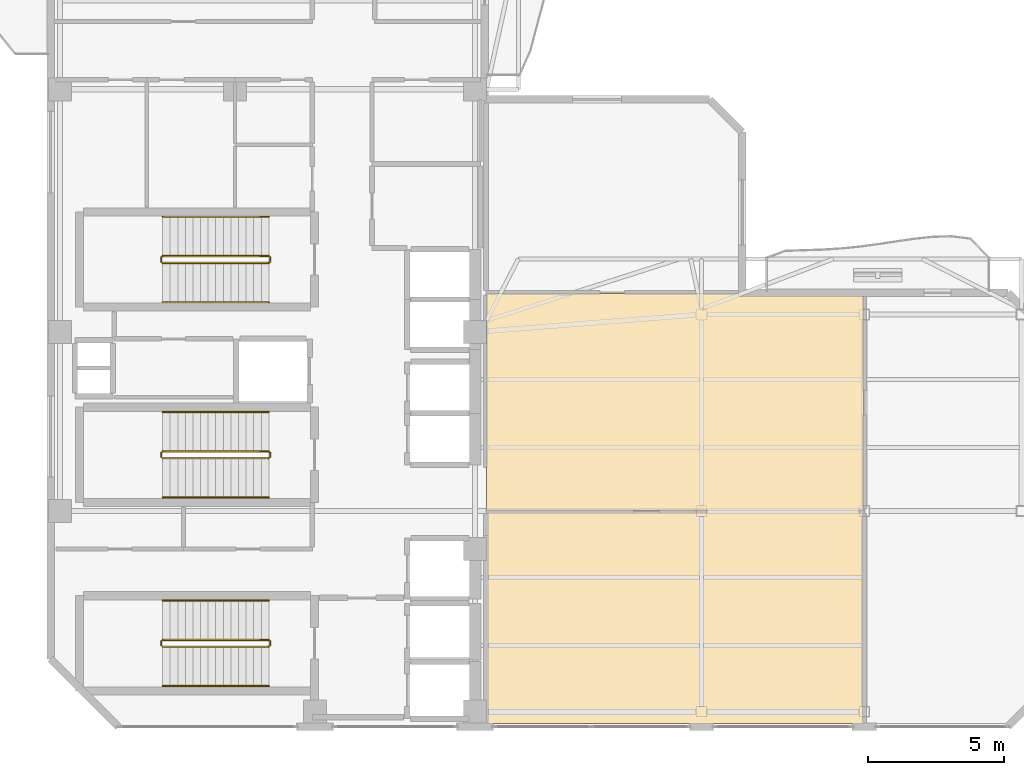
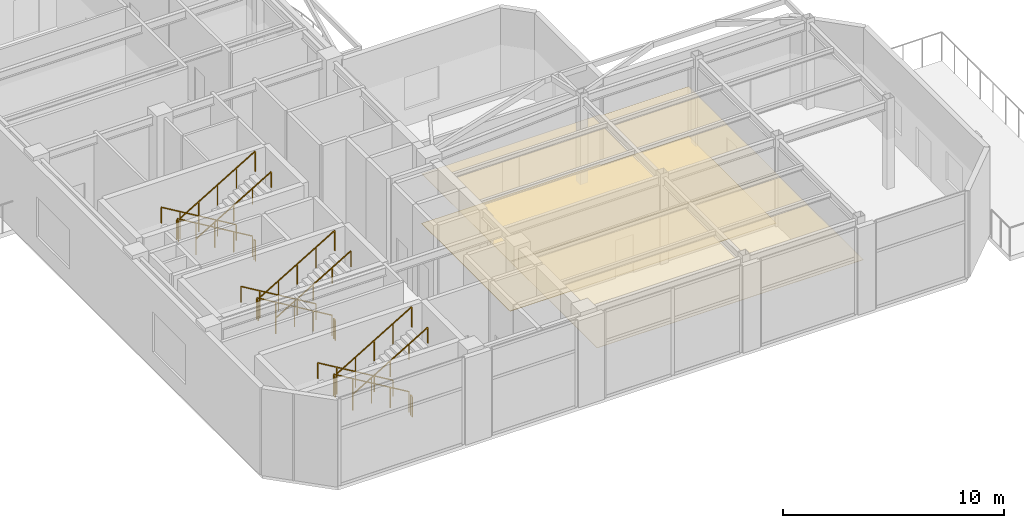
# One storey, part 12 of 14: 18 railings, 3 coverings.
"""IFC4 building model written with IfcOpenShell, lengths in metres."""

from ifc_helpers import new_model, si_unit, direction, frame, origin, origin_2d, place, context, subcontext, project, spatial, polyline, rectangle, outline, extrude, material, layer, layer_set, type_object, element, save


model = new_model("IFC4")

# Units and contexts
model_context = context("Model", 3, precision=1e-05, world=origin(), true_north=direction((0.0, 1.0)))
body_context = subcontext(model_context, "Body", "Model", "MODEL_VIEW")
ifc_project = project(units=[si_unit("LENGTHUNIT", "METRE"), si_unit("AREAUNIT", "SQUARE_METRE"), si_unit("VOLUMEUNIT", "CUBIC_METRE"), si_unit("PLANEANGLEUNIT", "RADIAN"), si_unit("MASSUNIT", "GRAM", prefix="KILO")], contexts=[model_context])

# Site, building, storey
site_placement = place(None, origin())
site = spatial("IfcSite", under=ifc_project, at=site_placement, CompositionType="ELEMENT")
building_placement = place(site_placement, origin())
building = spatial("IfcBuilding", under=site, at=building_placement, Name="Mawjaban Terraces University", CompositionType="ELEMENT")
storey_placement = place(building_placement, frame((0.0, 0.0, 243.199951171875)))
storey = spatial("IfcBuildingStorey", under=building, at=storey_placement, Name="L59", CompositionType="ELEMENT", Elevation=243.199951171875)

# Coverings
ifc_material_1 = material(Name="Acoustic mineral fibre ceiling tile", Category="masonry")
ifc_layer_1 = layer(ifc_material_1, 0.02001953125)
ifc_layer_set_1 = layer_set([ifc_layer_1], Name="Acoustic mineral fibre ceiling tile")
covering_type_1 = type_object("IfcCoveringType", Name="AcousticMineralCeiling_20", PredefinedType="CEILING", material=ifc_layer_set_1)
covering_1_placement = place(storey_placement, frame((0.0, 0.0, 2.75)))
element("IfcCovering", 1, at=covering_1_placement, inside=storey, type_object=covering_type_1, Name="L59 Transfer Sky Lobby Concourse Acoustic Ceiling", PredefinedType="CEILING", context=body_context, shape_type="SweptSolid", body=[
    extrude(outline(polyline([(51.969970703125, 15.885009765625), (47.385009765625, 15.885009765625), (47.385009765625, 15.969970703125), (38.080078125, 15.969970703125), (38.080078125, 7.97998046875), (51.969970703125, 7.97998046875), (51.969970703125, 15.885009765625)])), origin(), (0.0, 0.0, 1.0), 0.02001953125),
])
covering_2_placement = place(storey_placement, frame((0.0, 0.0, 2.75)))
element("IfcCovering", 2, at=covering_2_placement, inside=storey, type_object=covering_type_1, Name="L59 Data Visualization Studio Acoustic Ceiling", PredefinedType="CEILING", context=body_context, shape_type="SweptSolid", body=[
    extrude(outline(polyline([(38.080078125, 0.114990234375), (51.969970703125, 0.114990234375), (51.969970703125, 7.919921875), (38.080078125, 7.919921875), (38.080078125, 0.114990234375)])), origin(), (0.0, 0.0, 1.0), 0.02001953125),
])

# Railings
ifc_material_2 = material(Name="Brushed stainless steel 316", Category="steel")
railing_type_1 = type_object("IfcRailingType", Name="StairWallHandrail_900", PredefinedType="HANDRAIL", material=ifc_material_2)
railing_1_placement = place(storey_placement, frame((30.050048828125, 4.64990234375, 0.166748046875)))
element("IfcRailing", 3, at=railing_1_placement, inside=storey, type_object=railing_type_1, Name="L59 ST-1 stair handrail 1", PredefinedType="HANDRAIL", context=body_context, shape_type="SweptSolid", body=[
    extrude(rectangle(XDim=0.048095703125, YDim=0.048095703125, at=origin_2d()), frame((0.0, 0.0, 0.8759765625), z_axis=(-0.859310244771, 0.0, 0.511454693235), x_axis=(0.0, -1.0, 0.0)), (0.0, 0.0, 1.0), 4.56201171875),
    extrude(rectangle(XDim=0.0419921875, YDim=0.0419921875, at=origin_2d()), origin(), (0.0, 0.0, 1.0), 0.851806640625),
    extrude(rectangle(XDim=0.0419921875, YDim=0.0419921875, at=origin_2d()), frame((-0.97998046875, 0.0, 0.583251953125)), (0.0, 0.0, 1.0), 0.851806640625),
    extrude(rectangle(XDim=0.0419921875, YDim=0.0419921875, at=origin_2d()), frame((-1.9599609375, 0.0, 1.16650390625)), (0.0, 0.0, 1.0), 0.851806640625),
    extrude(rectangle(XDim=0.0419921875, YDim=0.0419921875, at=origin_2d()), frame((-2.940185546875, 0.0, 1.75)), (0.0, 0.0, 1.0), 0.851806640625),
    extrude(rectangle(XDim=0.0419921875, YDim=0.0419921875, at=origin_2d()), frame((-3.920166015625, 0.0, 2.333251953125)), (0.0, 0.0, 1.0), 0.851806640625),
])
railing_2_placement = place(storey_placement, frame((26.1298828125, 1.5, 2.666748046875)))
element("IfcRailing", 4, at=railing_2_placement, inside=storey, type_object=railing_type_1, Name="L59 ST-1 stair handrail 2", PredefinedType="HANDRAIL", context=body_context, shape_type="SweptSolid", body=[
    extrude(rectangle(XDim=0.048095703125, YDim=0.048095703125, at=origin_2d()), frame((0.0, 0.0, 0.8759765625), z_axis=(0.859310244771, 0.0, 0.511454693235), x_axis=(0.0, 1.0, 0.0)), (0.0, 0.0, 1.0), 4.56201171875),
    extrude(rectangle(XDim=0.0419921875, YDim=0.0419921875, at=origin_2d()), origin(), (0.0, 0.0, 1.0), 0.851806640625),
    extrude(rectangle(XDim=0.0419921875, YDim=0.0419921875, at=origin_2d()), frame((0.97998046875, 0.0, 0.583251953125)), (0.0, 0.0, 1.0), 0.851806640625),
    extrude(rectangle(XDim=0.0419921875, YDim=0.0419921875, at=origin_2d()), frame((1.9599609375, 0.0, 1.16650390625)), (0.0, 0.0, 1.0), 0.851806640625),
    extrude(rectangle(XDim=0.0419921875, YDim=0.0419921875, at=origin_2d()), frame((2.940185546875, 0.0, 1.75)), (0.0, 0.0, 1.0), 0.851806640625),
    extrude(rectangle(XDim=0.0419921875, YDim=0.0419921875, at=origin_2d()), frame((3.920166015625, 0.0, 2.333251953125)), (0.0, 0.0, 1.0), 0.851806640625),
])
railing_3_placement = place(storey_placement, frame((30.050048828125, 18.800048828125, 0.166748046875)))
element("IfcRailing", 5, at=railing_3_placement, inside=storey, type_object=railing_type_1, Name="L59 ST-2 stair handrail 1", PredefinedType="HANDRAIL", context=body_context, shape_type="SweptSolid", body=[
    extrude(rectangle(XDim=0.048095703125, YDim=0.048095703125, at=origin_2d()), frame((0.0, 0.0, 0.8759765625), z_axis=(-0.859310244771, 0.0, 0.511454693235), x_axis=(0.0, -1.0, 0.0)), (0.0, 0.0, 1.0), 4.56201171875),
    extrude(rectangle(XDim=0.0419921875, YDim=0.0419921875, at=origin_2d()), origin(), (0.0, 0.0, 1.0), 0.851806640625),
    extrude(rectangle(XDim=0.0419921875, YDim=0.0419921875, at=origin_2d()), frame((-0.97998046875, 0.0, 0.583251953125)), (0.0, 0.0, 1.0), 0.851806640625),
    extrude(rectangle(XDim=0.0419921875, YDim=0.0419921875, at=origin_2d()), frame((-1.9599609375, 0.0, 1.16650390625)), (0.0, 0.0, 1.0), 0.851806640625),
    extrude(rectangle(XDim=0.0419921875, YDim=0.0419921875, at=origin_2d()), frame((-2.940185546875, 0.0, 1.75)), (0.0, 0.0, 1.0), 0.851806640625),
    extrude(rectangle(XDim=0.0419921875, YDim=0.0419921875, at=origin_2d()), frame((-3.920166015625, 0.0, 2.333251953125)), (0.0, 0.0, 1.0), 0.851806640625),
])
railing_4_placement = place(storey_placement, frame((26.1298828125, 15.64990234375, 2.666748046875)))
element("IfcRailing", 6, at=railing_4_placement, inside=storey, type_object=railing_type_1, Name="L59 ST-2 stair handrail 2", PredefinedType="HANDRAIL", context=body_context, shape_type="SweptSolid", body=[
    extrude(rectangle(XDim=0.048095703125, YDim=0.048095703125, at=origin_2d()), frame((0.0, 0.0, 0.8759765625), z_axis=(0.859310244771, 0.0, 0.511454693235), x_axis=(0.0, 1.0, 0.0)), (0.0, 0.0, 1.0), 4.56201171875),
    extrude(rectangle(XDim=0.0419921875, YDim=0.0419921875, at=origin_2d()), origin(), (0.0, 0.0, 1.0), 0.851806640625),
    extrude(rectangle(XDim=0.0419921875, YDim=0.0419921875, at=origin_2d()), frame((0.97998046875, 0.0, 0.583251953125)), (0.0, 0.0, 1.0), 0.851806640625),
    extrude(rectangle(XDim=0.0419921875, YDim=0.0419921875, at=origin_2d()), frame((1.9599609375, 0.0, 1.16650390625)), (0.0, 0.0, 1.0), 0.851806640625),
    extrude(rectangle(XDim=0.0419921875, YDim=0.0419921875, at=origin_2d()), frame((2.940185546875, 0.0, 1.75)), (0.0, 0.0, 1.0), 0.851806640625),
    extrude(rectangle(XDim=0.0419921875, YDim=0.0419921875, at=origin_2d()), frame((3.920166015625, 0.0, 2.333251953125)), (0.0, 0.0, 1.0), 0.851806640625),
])
railing_5_placement = place(storey_placement, frame((30.050048828125, 11.60009765625, 0.166748046875)))
element("IfcRailing", 7, at=railing_5_placement, inside=storey, type_object=railing_type_1, Name="L59 ST-3 stair handrail 1", PredefinedType="HANDRAIL", context=body_context, shape_type="SweptSolid", body=[
    extrude(rectangle(XDim=0.048095703125, YDim=0.048095703125, at=origin_2d()), frame((0.0, 0.0, 0.8759765625), z_axis=(-0.859310244771, 0.0, 0.511454693235), x_axis=(0.0, -1.0, 0.0)), (0.0, 0.0, 1.0), 4.56201171875),
    extrude(rectangle(XDim=0.0419921875, YDim=0.0419921875, at=origin_2d()), origin(), (0.0, 0.0, 1.0), 0.851806640625),
    extrude(rectangle(XDim=0.0419921875, YDim=0.0419921875, at=origin_2d()), frame((-0.97998046875, 0.0, 0.583251953125)), (0.0, 0.0, 1.0), 0.851806640625),
    extrude(rectangle(XDim=0.0419921875, YDim=0.0419921875, at=origin_2d()), frame((-1.9599609375, 0.0, 1.16650390625)), (0.0, 0.0, 1.0), 0.851806640625),
    extrude(rectangle(XDim=0.0419921875, YDim=0.0419921875, at=origin_2d()), frame((-2.940185546875, 0.0, 1.75)), (0.0, 0.0, 1.0), 0.851806640625),
    extrude(rectangle(XDim=0.0419921875, YDim=0.0419921875, at=origin_2d()), frame((-3.920166015625, 0.0, 2.333251953125)), (0.0, 0.0, 1.0), 0.851806640625),
])
railing_6_placement = place(storey_placement, frame((26.1298828125, 8.449951171875, 2.666748046875)))
element("IfcRailing", 8, at=railing_6_placement, inside=storey, type_object=railing_type_1, Name="L59 ST-3 stair handrail 2", PredefinedType="HANDRAIL", context=body_context, shape_type="SweptSolid", body=[
    extrude(rectangle(XDim=0.048095703125, YDim=0.048095703125, at=origin_2d()), frame((0.0, 0.0, 0.8759765625), z_axis=(0.859310244771, 0.0, 0.511454693235), x_axis=(0.0, 1.0, 0.0)), (0.0, 0.0, 1.0), 4.56201171875),
    extrude(rectangle(XDim=0.0419921875, YDim=0.0419921875, at=origin_2d()), origin(), (0.0, 0.0, 1.0), 0.851806640625),
    extrude(rectangle(XDim=0.0419921875, YDim=0.0419921875, at=origin_2d()), frame((0.97998046875, 0.0, 0.583251953125)), (0.0, 0.0, 1.0), 0.851806640625),
    extrude(rectangle(XDim=0.0419921875, YDim=0.0419921875, at=origin_2d()), frame((1.9599609375, 0.0, 1.16650390625)), (0.0, 0.0, 1.0), 0.851806640625),
    extrude(rectangle(XDim=0.0419921875, YDim=0.0419921875, at=origin_2d()), frame((2.940185546875, 0.0, 1.75)), (0.0, 0.0, 1.0), 0.851806640625),
    extrude(rectangle(XDim=0.0419921875, YDim=0.0419921875, at=origin_2d()), frame((3.920166015625, 0.0, 2.333251953125)), (0.0, 0.0, 1.0), 0.851806640625),
])
ifc_material_3 = material(Name="Galvanised painted steel S355", Category="steel")
railing_type_2 = type_object("IfcRailingType", Name="StairWellGuard_1150", PredefinedType="BALUSTRADE", material=ifc_material_3)
railing_7_placement = place(storey_placement, frame((30.050048828125, 3.199951171875, 0.166748046875)))
element("IfcRailing", 9, at=railing_7_placement, inside=storey, type_object=railing_type_2, Name="L59 ST-1 stair guard 1", PredefinedType="BALUSTRADE", context=body_context, shape_type="SweptSolid", body=[
    extrude(rectangle(XDim=0.048095703125, YDim=0.048095703125, at=origin_2d()), frame((0.0, 0.0, 1.1259765625), z_axis=(-0.859310244771, 0.0, 0.511454693235), x_axis=(0.0, -1.0, 0.0)), (0.0, 0.0, 1.0), 4.56201171875),
    extrude(rectangle(XDim=0.0419921875, YDim=0.0419921875, at=origin_2d()), origin(), (0.0, 0.0, 1.0), 1.101806640625),
    extrude(rectangle(XDim=0.0419921875, YDim=0.0419921875, at=origin_2d()), frame((-0.97998046875, 0.0, 0.583251953125)), (0.0, 0.0, 1.0), 1.101806640625),
    extrude(rectangle(XDim=0.0419921875, YDim=0.0419921875, at=origin_2d()), frame((-1.9599609375, 0.0, 1.16650390625)), (0.0, 0.0, 1.0), 1.101806640625),
    extrude(rectangle(XDim=0.0419921875, YDim=0.0419921875, at=origin_2d()), frame((-2.940185546875, 0.0, 1.75)), (0.0, 0.0, 1.0), 1.101806640625),
    extrude(rectangle(XDim=0.0419921875, YDim=0.0419921875, at=origin_2d()), frame((-3.920166015625, 0.0, 2.333251953125)), (0.0, 0.0, 1.0), 1.101806640625),
])
railing_8_placement = place(storey_placement, frame((26.080078125, 3.14990234375, 2.5)))
element("IfcRailing", 10, at=railing_8_placement, inside=storey, type_object=railing_type_2, Name="L59 ST-1 stair guard 2", PredefinedType="BALUSTRADE", context=body_context, shape_type="SweptSolid", body=[
    extrude(rectangle(XDim=0.048095703125, YDim=0.048095703125, at=origin_2d()), frame((0.0, 0.0, 1.1259765625), z_axis=(0.0, -1.0, 0.0), x_axis=(1.0, 0.0, 0.0)), (0.0, 0.0, 1.0), 0.14990234375),
    extrude(rectangle(XDim=0.0419921875, YDim=0.0419921875, at=origin_2d()), origin(), (0.0, 0.0, 1.0), 1.101806640625),
    extrude(rectangle(XDim=0.0419921875, YDim=0.0419921875, at=origin_2d()), frame((0.0, -0.14990234375, 0.0)), (0.0, 0.0, 1.0), 1.101806640625),
])
railing_9_placement = place(storey_placement, frame((26.1298828125, 2.949951171875, 2.666748046875)))
element("IfcRailing", 11, at=railing_9_placement, inside=storey, type_object=railing_type_2, Name="L59 ST-1 stair guard 3", PredefinedType="BALUSTRADE", context=body_context, shape_type="SweptSolid", body=[
    extrude(rectangle(XDim=0.048095703125, YDim=0.048095703125, at=origin_2d()), frame((0.0, 0.0, 1.1259765625), z_axis=(0.859310244771, 0.0, 0.511454693235), x_axis=(0.0, 1.0, 0.0)), (0.0, 0.0, 1.0), 4.56201171875),
    extrude(rectangle(XDim=0.0419921875, YDim=0.0419921875, at=origin_2d()), origin(), (0.0, 0.0, 1.0), 1.101806640625),
    extrude(rectangle(XDim=0.0419921875, YDim=0.0419921875, at=origin_2d()), frame((0.97998046875, 0.0, 0.583251953125)), (0.0, 0.0, 1.0), 1.101806640625),
    extrude(rectangle(XDim=0.0419921875, YDim=0.0419921875, at=origin_2d()), frame((1.9599609375, 0.0, 1.16650390625)), (0.0, 0.0, 1.0), 1.101806640625),
    extrude(rectangle(XDim=0.0419921875, YDim=0.0419921875, at=origin_2d()), frame((2.940185546875, 0.0, 1.75)), (0.0, 0.0, 1.0), 1.101806640625),
    extrude(rectangle(XDim=0.0419921875, YDim=0.0419921875, at=origin_2d()), frame((3.920166015625, 0.0, 2.333251953125)), (0.0, 0.0, 1.0), 1.101806640625),
])
railing_10_placement = place(storey_placement, frame((30.10009765625, 3.14990234375, 0.0)))
element("IfcRailing", 12, at=railing_10_placement, inside=storey, type_object=railing_type_2, Name="L59 ST-1 stair guard 4", PredefinedType="BALUSTRADE", context=body_context, shape_type="SweptSolid", body=[
    extrude(rectangle(XDim=0.048095703125, YDim=0.048095703125, at=origin_2d()), frame((0.0, 0.0, 1.1259765625), z_axis=(0.0, -1.0, 0.0), x_axis=(1.0, 0.0, 0.0)), (0.0, 0.0, 1.0), 0.14990234375),
    extrude(rectangle(XDim=0.0419921875, YDim=0.0419921875, at=origin_2d()), origin(), (0.0, 0.0, 1.0), 1.101806640625),
    extrude(rectangle(XDim=0.0419921875, YDim=0.0419921875, at=origin_2d()), frame((0.0, -0.14990234375, 0.0)), (0.0, 0.0, 1.0), 1.101806640625),
])
railing_11_placement = place(storey_placement, frame((30.050048828125, 17.35009765625, 0.166748046875)))
element("IfcRailing", 13, at=railing_11_placement, inside=storey, type_object=railing_type_2, Name="L59 ST-2 stair guard 1", PredefinedType="BALUSTRADE", context=body_context, shape_type="SweptSolid", body=[
    extrude(rectangle(XDim=0.048095703125, YDim=0.048095703125, at=origin_2d()), frame((0.0, 0.0, 1.1259765625), z_axis=(-0.859310244771, 0.0, 0.511454693235), x_axis=(0.0, -1.0, 0.0)), (0.0, 0.0, 1.0), 4.56201171875),
    extrude(rectangle(XDim=0.0419921875, YDim=0.0419921875, at=origin_2d()), origin(), (0.0, 0.0, 1.0), 1.101806640625),
    extrude(rectangle(XDim=0.0419921875, YDim=0.0419921875, at=origin_2d()), frame((-0.97998046875, 0.0, 0.583251953125)), (0.0, 0.0, 1.0), 1.101806640625),
    extrude(rectangle(XDim=0.0419921875, YDim=0.0419921875, at=origin_2d()), frame((-1.9599609375, 0.0, 1.16650390625)), (0.0, 0.0, 1.0), 1.101806640625),
    extrude(rectangle(XDim=0.0419921875, YDim=0.0419921875, at=origin_2d()), frame((-2.940185546875, 0.0, 1.75)), (0.0, 0.0, 1.0), 1.101806640625),
    extrude(rectangle(XDim=0.0419921875, YDim=0.0419921875, at=origin_2d()), frame((-3.920166015625, 0.0, 2.333251953125)), (0.0, 0.0, 1.0), 1.101806640625),
])
railing_12_placement = place(storey_placement, frame((26.080078125, 17.300048828125, 2.5)))
element("IfcRailing", 14, at=railing_12_placement, inside=storey, type_object=railing_type_2, Name="L59 ST-2 stair guard 2", PredefinedType="BALUSTRADE", context=body_context, shape_type="SweptSolid", body=[
    extrude(rectangle(XDim=0.048095703125, YDim=0.048095703125, at=origin_2d()), frame((0.0, 0.0, 1.1259765625), z_axis=(0.0, -1.0, 0.0), x_axis=(1.0, 0.0, 0.0)), (0.0, 0.0, 1.0), 0.150146484375),
    extrude(rectangle(XDim=0.0419921875, YDim=0.0419921875, at=origin_2d()), origin(), (0.0, 0.0, 1.0), 1.101806640625),
    extrude(rectangle(XDim=0.0419921875, YDim=0.0419921875, at=origin_2d()), frame((0.0, -0.150146484375, 0.0)), (0.0, 0.0, 1.0), 1.101806640625),
])
railing_13_placement = place(storey_placement, frame((26.1298828125, 17.10009765625, 2.666748046875)))
element("IfcRailing", 15, at=railing_13_placement, inside=storey, type_object=railing_type_2, Name="L59 ST-2 stair guard 3", PredefinedType="BALUSTRADE", context=body_context, shape_type="SweptSolid", body=[
    extrude(rectangle(XDim=0.048095703125, YDim=0.048095703125, at=origin_2d()), frame((0.0, 0.0, 1.1259765625), z_axis=(0.859310244771, 0.0, 0.511454693235), x_axis=(0.0, 1.0, 0.0)), (0.0, 0.0, 1.0), 4.56201171875),
    extrude(rectangle(XDim=0.0419921875, YDim=0.0419921875, at=origin_2d()), origin(), (0.0, 0.0, 1.0), 1.101806640625),
    extrude(rectangle(XDim=0.0419921875, YDim=0.0419921875, at=origin_2d()), frame((0.97998046875, 0.0, 0.583251953125)), (0.0, 0.0, 1.0), 1.101806640625),
    extrude(rectangle(XDim=0.0419921875, YDim=0.0419921875, at=origin_2d()), frame((1.9599609375, 0.0, 1.16650390625)), (0.0, 0.0, 1.0), 1.101806640625),
    extrude(rectangle(XDim=0.0419921875, YDim=0.0419921875, at=origin_2d()), frame((2.940185546875, 0.0, 1.75)), (0.0, 0.0, 1.0), 1.101806640625),
    extrude(rectangle(XDim=0.0419921875, YDim=0.0419921875, at=origin_2d()), frame((3.920166015625, 0.0, 2.333251953125)), (0.0, 0.0, 1.0), 1.101806640625),
])
railing_14_placement = place(storey_placement, frame((30.10009765625, 17.300048828125, 0.0)))
element("IfcRailing", 16, at=railing_14_placement, inside=storey, type_object=railing_type_2, Name="L59 ST-2 stair guard 4", PredefinedType="BALUSTRADE", context=body_context, shape_type="SweptSolid", body=[
    extrude(rectangle(XDim=0.048095703125, YDim=0.048095703125, at=origin_2d()), frame((0.0, 0.0, 1.1259765625), z_axis=(0.0, -1.0, 0.0), x_axis=(1.0, 0.0, 0.0)), (0.0, 0.0, 1.0), 0.150146484375),
    extrude(rectangle(XDim=0.0419921875, YDim=0.0419921875, at=origin_2d()), origin(), (0.0, 0.0, 1.0), 1.101806640625),
    extrude(rectangle(XDim=0.0419921875, YDim=0.0419921875, at=origin_2d()), frame((0.0, -0.150146484375, 0.0)), (0.0, 0.0, 1.0), 1.101806640625),
])
railing_15_placement = place(storey_placement, frame((30.050048828125, 10.14990234375, 0.166748046875)))
element("IfcRailing", 17, at=railing_15_placement, inside=storey, type_object=railing_type_2, Name="L59 ST-3 stair guard 1", PredefinedType="BALUSTRADE", context=body_context, shape_type="SweptSolid", body=[
    extrude(rectangle(XDim=0.048095703125, YDim=0.048095703125, at=origin_2d()), frame((0.0, 0.0, 1.1259765625), z_axis=(-0.859310244771, 0.0, 0.511454693235), x_axis=(0.0, -1.0, 0.0)), (0.0, 0.0, 1.0), 4.56201171875),
    extrude(rectangle(XDim=0.0419921875, YDim=0.0419921875, at=origin_2d()), origin(), (0.0, 0.0, 1.0), 1.101806640625),
    extrude(rectangle(XDim=0.0419921875, YDim=0.0419921875, at=origin_2d()), frame((-0.97998046875, 0.0, 0.583251953125)), (0.0, 0.0, 1.0), 1.101806640625),
    extrude(rectangle(XDim=0.0419921875, YDim=0.0419921875, at=origin_2d()), frame((-1.9599609375, 0.0, 1.16650390625)), (0.0, 0.0, 1.0), 1.101806640625),
    extrude(rectangle(XDim=0.0419921875, YDim=0.0419921875, at=origin_2d()), frame((-2.940185546875, 0.0, 1.75)), (0.0, 0.0, 1.0), 1.101806640625),
    extrude(rectangle(XDim=0.0419921875, YDim=0.0419921875, at=origin_2d()), frame((-3.920166015625, 0.0, 2.333251953125)), (0.0, 0.0, 1.0), 1.101806640625),
])
railing_16_placement = place(storey_placement, frame((26.080078125, 10.10009765625, 2.5)))
element("IfcRailing", 18, at=railing_16_placement, inside=storey, type_object=railing_type_2, Name="L59 ST-3 stair guard 2", PredefinedType="BALUSTRADE", context=body_context, shape_type="SweptSolid", body=[
    extrude(rectangle(XDim=0.048095703125, YDim=0.048095703125, at=origin_2d()), frame((0.0, 0.0, 1.1259765625), z_axis=(0.0, -1.0, 0.0), x_axis=(1.0, 0.0, 0.0)), (0.0, 0.0, 1.0), 0.150146484375),
    extrude(rectangle(XDim=0.0419921875, YDim=0.0419921875, at=origin_2d()), origin(), (0.0, 0.0, 1.0), 1.101806640625),
    extrude(rectangle(XDim=0.0419921875, YDim=0.0419921875, at=origin_2d()), frame((0.0, -0.150146484375, 0.0)), (0.0, 0.0, 1.0), 1.101806640625),
])
railing_17_placement = place(storey_placement, frame((26.1298828125, 9.89990234375, 2.666748046875)))
element("IfcRailing", 19, at=railing_17_placement, inside=storey, type_object=railing_type_2, Name="L59 ST-3 stair guard 3", PredefinedType="BALUSTRADE", context=body_context, shape_type="SweptSolid", body=[
    extrude(rectangle(XDim=0.048095703125, YDim=0.048095703125, at=origin_2d()), frame((0.0, 0.0, 1.1259765625), z_axis=(0.859310244771, 0.0, 0.511454693235), x_axis=(0.0, 1.0, 0.0)), (0.0, 0.0, 1.0), 4.56201171875),
    extrude(rectangle(XDim=0.0419921875, YDim=0.0419921875, at=origin_2d()), origin(), (0.0, 0.0, 1.0), 1.101806640625),
    extrude(rectangle(XDim=0.0419921875, YDim=0.0419921875, at=origin_2d()), frame((0.97998046875, 0.0, 0.583251953125)), (0.0, 0.0, 1.0), 1.101806640625),
    extrude(rectangle(XDim=0.0419921875, YDim=0.0419921875, at=origin_2d()), frame((1.9599609375, 0.0, 1.16650390625)), (0.0, 0.0, 1.0), 1.101806640625),
    extrude(rectangle(XDim=0.0419921875, YDim=0.0419921875, at=origin_2d()), frame((2.940185546875, 0.0, 1.75)), (0.0, 0.0, 1.0), 1.101806640625),
    extrude(rectangle(XDim=0.0419921875, YDim=0.0419921875, at=origin_2d()), frame((3.920166015625, 0.0, 2.333251953125)), (0.0, 0.0, 1.0), 1.101806640625),
])
railing_18_placement = place(storey_placement, frame((30.10009765625, 10.10009765625, 0.0)))
element("IfcRailing", 20, at=railing_18_placement, inside=storey, type_object=railing_type_2, Name="L59 ST-3 stair guard 4", PredefinedType="BALUSTRADE", context=body_context, shape_type="SweptSolid", body=[
    extrude(rectangle(XDim=0.048095703125, YDim=0.048095703125, at=origin_2d()), frame((0.0, 0.0, 1.1259765625), z_axis=(0.0, -1.0, 0.0), x_axis=(1.0, 0.0, 0.0)), (0.0, 0.0, 1.0), 0.150146484375),
    extrude(rectangle(XDim=0.0419921875, YDim=0.0419921875, at=origin_2d()), origin(), (0.0, 0.0, 1.0), 1.101806640625),
    extrude(rectangle(XDim=0.0419921875, YDim=0.0419921875, at=origin_2d()), frame((0.0, -0.150146484375, 0.0)), (0.0, 0.0, 1.0), 1.101806640625),
])

# Covering
ifc_material_4 = material(Name="Polished Hijazi granite terrazzo flooring", Category="masonry")
ifc_layer_2 = layer(ifc_material_4, 0.02490234375)
ifc_layer_set_2 = layer_set([ifc_layer_2], Name="Polished Hijazi granite terrazzo flooring")
covering_type_2 = type_object("IfcCoveringType", Name="TerrazzoConcourseFlooring_25", PredefinedType="FLOORING", material=ifc_layer_set_2)
covering_3_placement = place(storey_placement, origin())
element("IfcCovering", 21, at=covering_3_placement, inside=storey, type_object=covering_type_2, Name="L59 Transfer Sky Lobby Concourse Terrazzo Flooring", PredefinedType="FLOORING", context=body_context, shape_type="SweptSolid", body=[
    extrude(outline(polyline([(51.969970703125, 15.885009765625), (47.385009765625, 15.885009765625), (47.385009765625, 15.969970703125), (38.080078125, 15.969970703125), (38.080078125, 7.97998046875), (51.969970703125, 7.97998046875), (51.969970703125, 15.885009765625)])), origin(), (0.0, 0.0, 1.0), 0.025146484375),
])

save(model, "model.ifc")
